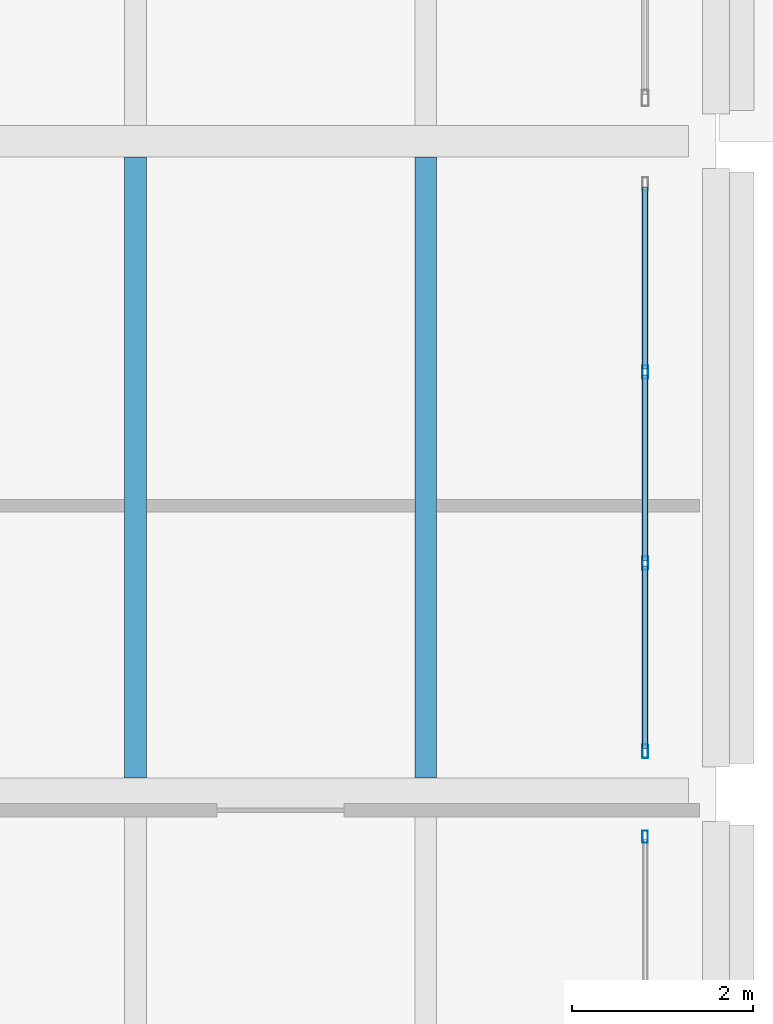
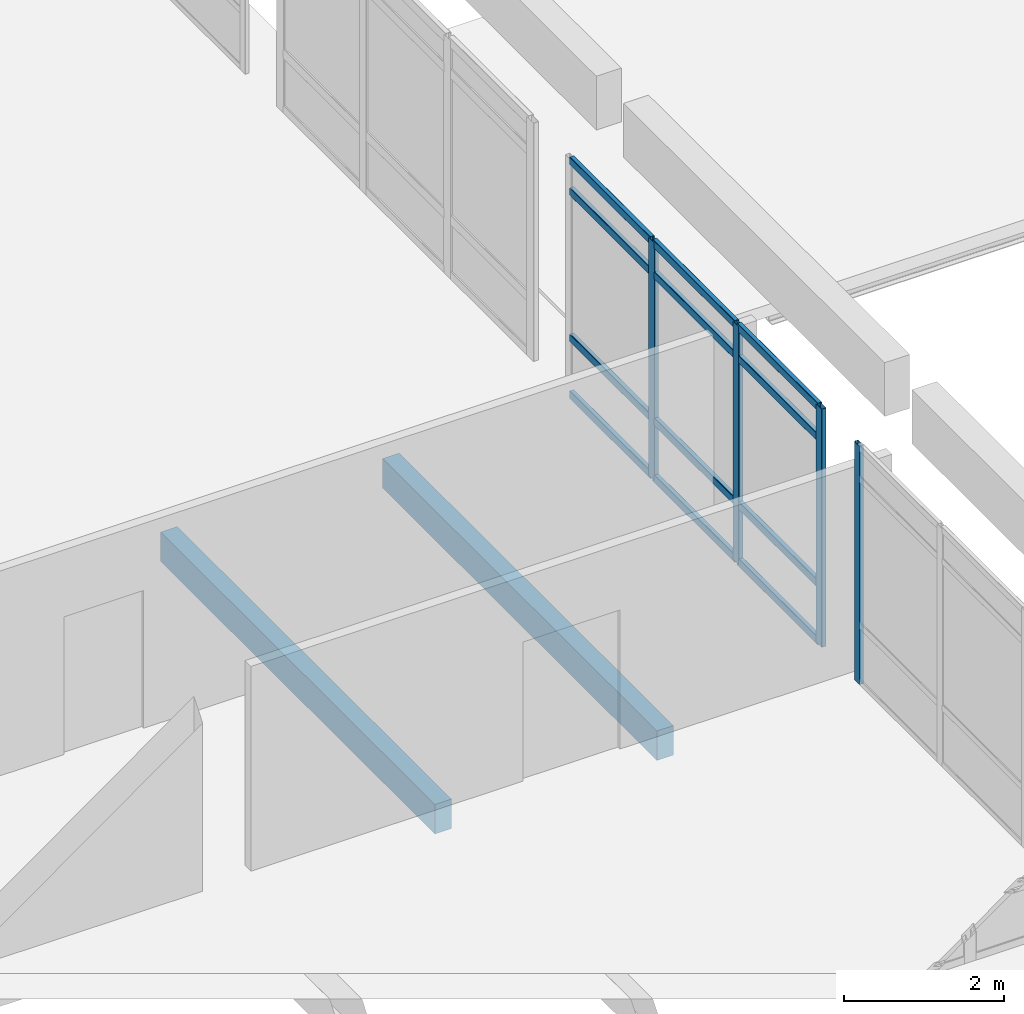
# One storey, part 63 of 180: 16 members, 2 beams, 2 elements without a shape of their own.
"""IFC4 building model written with IfcOpenShell, lengths in metres."""

from ifc_helpers import new_model, si_unit, direction, frame, origin, origin_2d, place, context, subcontext, project, spatial, rectangle, hollow_rectangle, extrude, material, layer, layer_set, material_profile, profile_set, type_object, element, aggregate, save


model = new_model("IFC4")

# Units and contexts
model_context = context("Model", 3, precision=1e-05, world=origin(), true_north=direction((0.0, 1.0)))
body_context = subcontext(model_context, "Body", "Model", "MODEL_VIEW")
ifc_project = project(units=[si_unit("LENGTHUNIT", "METRE"), si_unit("AREAUNIT", "SQUARE_METRE"), si_unit("VOLUMEUNIT", "CUBIC_METRE"), si_unit("PLANEANGLEUNIT", "RADIAN"), si_unit("MASSUNIT", "GRAM", prefix="KILO")], contexts=[model_context])

# Site, building, storey
site_placement = place(None, origin())
site = spatial("IfcSite", under=ifc_project, at=site_placement, CompositionType="ELEMENT")
building_placement = place(site_placement, origin())
building = spatial("IfcBuilding", under=site, at=building_placement, Name="Asteropetra Specialist Clinic", CompositionType="ELEMENT")
storey_placement = place(building_placement, frame((0.0, 0.0, 4.419921875)))
storey = spatial("IfcBuildingStorey", under=building, at=storey_placement, Name="L01", CompositionType="ELEMENT", Elevation=4.419921875)

# Curtain wall, member
ifc_material_1 = material(Name="Aluminium and low-E glass", Category="aluminium")
ifc_layer_1 = layer(ifc_material_1, 0.14990234375)
ifc_layer_set_1 = layer_set([ifc_layer_1], Name="Aluminium and low-E glass")
curtain_wall_type_1 = type_object("IfcCurtainWallType", Name="CW-SYS-11", PredefinedType="USERDEFINED", material=ifc_layer_set_1)
curtain_wall_1_placement = place(storey_placement, origin())
curtain_wall_1 = element("IfcCurtainWall", 1, at=curtain_wall_1_placement, inside=storey, type_object=curtain_wall_type_1, Name="Curtain Wall CW-176", ObjectType="STICK GLAZED COLONNADE", PredefinedType="USERDEFINED")
ifc_material_2 = material(Name="Aluminium 6063-T6", Category="aluminium")
ifc_material_profile_1 = material_profile(ifc_material_2, hollow_rectangle(XDim=0.06005859375, YDim=0.135009765625, WallThickness=0.00341796875, InnerFilletRadius=0.00341796875, OuterFilletRadius=0.007080078125, at=origin_2d()), Name="MUL 135x60x3.5")
ifc_profile_set_1 = profile_set([ifc_material_profile_1], Name="Aluminium 6063-T6")
member_type_1 = type_object("IfcMemberType", Name="CWM-135x60", PredefinedType="MULLION", material=ifc_profile_set_1)
member_1_placement = place(storey_placement, frame((95.219970703125, 40.330078125, 0.0), z_axis=(0.0, 0.0, 1.0), x_axis=(-1.0, 0.0, 0.0)))
member_1 = element("IfcMember", 2, at=member_1_placement, type_object=member_type_1, Name="CW-176 mullion 4", PredefinedType="MULLION", context=body_context, shape_type="SweptSolid", body=[
    extrude(hollow_rectangle(XDim=0.06005859375, YDim=0.135009765625, WallThickness=0.00341796875, InnerFilletRadius=0.00341796875, OuterFilletRadius=0.007080078125, at=origin_2d()), origin(), (0.0, 0.0, 1.0), 3.630126953125),
])
aggregate(curtain_wall_1, [member_1])

# Curtain wall, members
ifc_material_3 = material(Name="Aluminium and low-E glass", Category="aluminium")
ifc_layer_2 = layer(ifc_material_3, 0.179931640625)
ifc_layer_set_2 = layer_set([ifc_layer_2], Name="Aluminium and low-E glass")
curtain_wall_type_2 = type_object("IfcCurtainWallType", Name="CW-SYS-10", PredefinedType="USERDEFINED", material=ifc_layer_set_2)
curtain_wall_2_placement = place(storey_placement, origin())
curtain_wall_2 = element("IfcCurtainWall", 3, at=curtain_wall_2_placement, inside=storey, type_object=curtain_wall_type_2, Name="Curtain Wall CW-178", ObjectType="STICK GLAZED COLONNADE", PredefinedType="USERDEFINED")
ifc_material_4 = material(Name="Aluminium 6063-T6", Category="aluminium")
ifc_material_profile_2 = material_profile(ifc_material_4, hollow_rectangle(XDim=0.06494140625, YDim=0.14990234375, WallThickness=0.00390625, InnerFilletRadius=0.00390625, OuterFilletRadius=0.008056640625, at=origin_2d()), Name="MUL 150x65x4.0")
ifc_profile_set_2 = profile_set([ifc_material_profile_2], Name="Aluminium 6063-T6")
member_type_2 = type_object("IfcMemberType", Name="CWM-150x65", PredefinedType="MULLION", material=ifc_profile_set_2)
member_2_placement = place(storey_placement, frame((95.219970703125, 41.2724609375, 0.0), z_axis=(0.0, 0.0, 1.0), x_axis=(-1.0, 0.0, 0.0)))
member_2 = element("IfcMember", 4, at=member_2_placement, type_object=member_type_2, Name="CW-178 mullion 1", PredefinedType="MULLION", context=body_context, shape_type="SweptSolid", body=[
    extrude(hollow_rectangle(XDim=0.06494140625, YDim=0.14990234375, WallThickness=0.00390625, InnerFilletRadius=0.00390625, OuterFilletRadius=0.008056640625, at=origin_2d()), origin(), (0.0, 0.0, 1.0), 3.630126953125),
])
member_3_placement = place(storey_placement, frame((95.219970703125, 43.3466796875, 0.0), z_axis=(0.0, 0.0, 1.0), x_axis=(-1.0, 0.0, 0.0)))
member_3 = element("IfcMember", 5, at=member_3_placement, type_object=member_type_2, Name="CW-178 mullion 2", PredefinedType="MULLION", context=body_context, shape_type="SweptSolid", body=[
    extrude(hollow_rectangle(XDim=0.06494140625, YDim=0.14990234375, WallThickness=0.00390625, InnerFilletRadius=0.00390625, OuterFilletRadius=0.008056640625, at=origin_2d()), origin(), (0.0, 0.0, 1.0), 3.630126953125),
])
member_4_placement = place(storey_placement, frame((95.219970703125, 45.453369140625, 0.0), z_axis=(0.0, 0.0, 1.0), x_axis=(-1.0, 0.0, 0.0)))
member_4 = element("IfcMember", 6, at=member_4_placement, type_object=member_type_2, Name="CW-178 mullion 3", PredefinedType="MULLION", context=body_context, shape_type="SweptSolid", body=[
    extrude(hollow_rectangle(XDim=0.06494140625, YDim=0.14990234375, WallThickness=0.00390625, InnerFilletRadius=0.00390625, OuterFilletRadius=0.008056640625, at=origin_2d()), origin(), (0.0, 0.0, 1.0), 3.630126953125),
])
ifc_material_5 = material(Name="Aluminium 6063-T6", Category="aluminium")
ifc_material_profile_3 = material_profile(ifc_material_5, hollow_rectangle(XDim=0.06494140625, YDim=0.1201171875, WallThickness=0.00390625, InnerFilletRadius=0.00390625, OuterFilletRadius=0.008056640625, at=origin_2d()), Name="TRN 120x65x4.0")
ifc_profile_set_3 = profile_set([ifc_material_profile_3], Name="Aluminium 6063-T6")
member_type_3 = type_object("IfcMemberType", Name="CWT-120x65", PredefinedType="USERDEFINED", material=ifc_profile_set_3)
member_5_placement = place(storey_placement, frame((95.219970703125, 41.304931640625, 0.032470703125), z_axis=(0.0, 1.0, 0.0), x_axis=(-1.0, 0.0, 0.0)))
member_5 = element("IfcMember", 7, at=member_5_placement, type_object=member_type_3, Name="CW-178 transom 1.1", ObjectType="TRANSOM", PredefinedType="USERDEFINED", context=body_context, shape_type="SweptSolid", body=[
    extrude(hollow_rectangle(XDim=0.06494140625, YDim=0.1201171875, WallThickness=0.00390625, InnerFilletRadius=0.00390625, OuterFilletRadius=0.008056640625, at=origin_2d()), origin(), (0.0, 0.0, 1.0), 2.00927734375),
])
member_6_placement = place(storey_placement, frame((95.219970703125, 41.304931640625, 0.900146484375), z_axis=(0.0, 1.0, 0.0), x_axis=(-1.0, 0.0, 0.0)))
member_6 = element("IfcMember", 8, at=member_6_placement, type_object=member_type_3, Name="CW-178 transom 1.2", ObjectType="TRANSOM", PredefinedType="USERDEFINED", context=body_context, shape_type="SweptSolid", body=[
    extrude(hollow_rectangle(XDim=0.06494140625, YDim=0.1201171875, WallThickness=0.00390625, InnerFilletRadius=0.00390625, OuterFilletRadius=0.008056640625, at=origin_2d()), origin(), (0.0, 0.0, 1.0), 2.00927734375),
])
member_7_placement = place(storey_placement, frame((95.219970703125, 41.304931640625, 3.130126953125), z_axis=(0.0, 1.0, 0.0), x_axis=(-1.0, 0.0, 0.0)))
member_7 = element("IfcMember", 9, at=member_7_placement, type_object=member_type_3, Name="CW-178 transom 1.3", ObjectType="TRANSOM", PredefinedType="USERDEFINED", context=body_context, shape_type="SweptSolid", body=[
    extrude(hollow_rectangle(XDim=0.06494140625, YDim=0.1201171875, WallThickness=0.00390625, InnerFilletRadius=0.00390625, OuterFilletRadius=0.008056640625, at=origin_2d()), origin(), (0.0, 0.0, 1.0), 2.00927734375),
])
member_8_placement = place(storey_placement, frame((95.219970703125, 41.304931640625, 3.59765625), z_axis=(0.0, 1.0, 0.0), x_axis=(-1.0, 0.0, 0.0)))
member_8 = element("IfcMember", 10, at=member_8_placement, type_object=member_type_3, Name="CW-178 transom 1.4", ObjectType="TRANSOM", PredefinedType="USERDEFINED", context=body_context, shape_type="SweptSolid", body=[
    extrude(hollow_rectangle(XDim=0.06494140625, YDim=0.1201171875, WallThickness=0.00390625, InnerFilletRadius=0.00390625, OuterFilletRadius=0.008056640625, at=origin_2d()), origin(), (0.0, 0.0, 1.0), 2.00927734375),
])
member_9_placement = place(storey_placement, frame((95.219970703125, 43.379150390625, 0.032470703125), z_axis=(0.0, 1.0, 0.0), x_axis=(-1.0, 0.0, 0.0)))
member_9 = element("IfcMember", 11, at=member_9_placement, type_object=member_type_3, Name="CW-178 transom 2.1", ObjectType="TRANSOM", PredefinedType="USERDEFINED", context=body_context, shape_type="SweptSolid", body=[
    extrude(hollow_rectangle(XDim=0.06494140625, YDim=0.1201171875, WallThickness=0.00390625, InnerFilletRadius=0.00390625, OuterFilletRadius=0.008056640625, at=origin_2d()), origin(), (0.0, 0.0, 1.0), 2.041748046875),
])
member_10_placement = place(storey_placement, frame((95.219970703125, 43.379150390625, 0.900146484375), z_axis=(0.0, 1.0, 0.0), x_axis=(-1.0, 0.0, 0.0)))
member_10 = element("IfcMember", 12, at=member_10_placement, type_object=member_type_3, Name="CW-178 transom 2.2", ObjectType="TRANSOM", PredefinedType="USERDEFINED", context=body_context, shape_type="SweptSolid", body=[
    extrude(hollow_rectangle(XDim=0.06494140625, YDim=0.1201171875, WallThickness=0.00390625, InnerFilletRadius=0.00390625, OuterFilletRadius=0.008056640625, at=origin_2d()), origin(), (0.0, 0.0, 1.0), 2.041748046875),
])
member_11_placement = place(storey_placement, frame((95.219970703125, 43.379150390625, 3.130126953125), z_axis=(0.0, 1.0, 0.0), x_axis=(-1.0, 0.0, 0.0)))
member_11 = element("IfcMember", 13, at=member_11_placement, type_object=member_type_3, Name="CW-178 transom 2.3", ObjectType="TRANSOM", PredefinedType="USERDEFINED", context=body_context, shape_type="SweptSolid", body=[
    extrude(hollow_rectangle(XDim=0.06494140625, YDim=0.1201171875, WallThickness=0.00390625, InnerFilletRadius=0.00390625, OuterFilletRadius=0.008056640625, at=origin_2d()), origin(), (0.0, 0.0, 1.0), 2.041748046875),
])
member_12_placement = place(storey_placement, frame((95.219970703125, 43.379150390625, 3.59765625), z_axis=(0.0, 1.0, 0.0), x_axis=(-1.0, 0.0, 0.0)))
member_12 = element("IfcMember", 14, at=member_12_placement, type_object=member_type_3, Name="CW-178 transom 2.4", ObjectType="TRANSOM", PredefinedType="USERDEFINED", context=body_context, shape_type="SweptSolid", body=[
    extrude(hollow_rectangle(XDim=0.06494140625, YDim=0.1201171875, WallThickness=0.00390625, InnerFilletRadius=0.00390625, OuterFilletRadius=0.008056640625, at=origin_2d()), origin(), (0.0, 0.0, 1.0), 2.041748046875),
])
member_13_placement = place(storey_placement, frame((95.219970703125, 45.48583984375, 0.032470703125), z_axis=(0.0, 1.0, 0.0), x_axis=(-1.0, 0.0, 0.0)))
member_13 = element("IfcMember", 15, at=member_13_placement, type_object=member_type_3, Name="CW-178 transom 3.1", ObjectType="TRANSOM", PredefinedType="USERDEFINED", context=body_context, shape_type="SweptSolid", body=[
    extrude(hollow_rectangle(XDim=0.06494140625, YDim=0.1201171875, WallThickness=0.00390625, InnerFilletRadius=0.00390625, OuterFilletRadius=0.008056640625, at=origin_2d()), origin(), (0.0, 0.0, 1.0), 2.00927734375),
])
member_14_placement = place(storey_placement, frame((95.219970703125, 45.48583984375, 0.900146484375), z_axis=(0.0, 1.0, 0.0), x_axis=(-1.0, 0.0, 0.0)))
member_14 = element("IfcMember", 16, at=member_14_placement, type_object=member_type_3, Name="CW-178 transom 3.2", ObjectType="TRANSOM", PredefinedType="USERDEFINED", context=body_context, shape_type="SweptSolid", body=[
    extrude(hollow_rectangle(XDim=0.06494140625, YDim=0.1201171875, WallThickness=0.00390625, InnerFilletRadius=0.00390625, OuterFilletRadius=0.008056640625, at=origin_2d()), origin(), (0.0, 0.0, 1.0), 2.00927734375),
])
member_15_placement = place(storey_placement, frame((95.219970703125, 45.48583984375, 3.130126953125), z_axis=(0.0, 1.0, 0.0), x_axis=(-1.0, 0.0, 0.0)))
member_15 = element("IfcMember", 17, at=member_15_placement, type_object=member_type_3, Name="CW-178 transom 3.3", ObjectType="TRANSOM", PredefinedType="USERDEFINED", context=body_context, shape_type="SweptSolid", body=[
    extrude(hollow_rectangle(XDim=0.06494140625, YDim=0.1201171875, WallThickness=0.00390625, InnerFilletRadius=0.00390625, OuterFilletRadius=0.008056640625, at=origin_2d()), origin(), (0.0, 0.0, 1.0), 2.00927734375),
])
member_16_placement = place(storey_placement, frame((95.219970703125, 45.48583984375, 3.59765625), z_axis=(0.0, 1.0, 0.0), x_axis=(-1.0, 0.0, 0.0)))
member_16 = element("IfcMember", 18, at=member_16_placement, type_object=member_type_3, Name="CW-178 transom 3.4", ObjectType="TRANSOM", PredefinedType="USERDEFINED", context=body_context, shape_type="SweptSolid", body=[
    extrude(hollow_rectangle(XDim=0.06494140625, YDim=0.1201171875, WallThickness=0.00390625, InnerFilletRadius=0.00390625, OuterFilletRadius=0.008056640625, at=origin_2d()), origin(), (0.0, 0.0, 1.0), 2.00927734375),
])
aggregate(curtain_wall_2, [member_2, member_3, member_4, member_5, member_6, member_7, member_8, member_9, member_10, member_11, member_12, member_13, member_14, member_15, member_16])

# Beams
ifc_material_6 = material(Name="Concrete C35/45", Category="concrete")
ifc_material_profile_4 = material_profile(ifc_material_6, rectangle(XDim=0.239990234375, YDim=0.449951171875, at=origin_2d()), Name="RCJ 240x450")
ifc_profile_set_4 = profile_set([ifc_material_profile_4], Name="Concrete C35/45")
beam_type = type_object("IfcBeamType", Name="JST-RC240x450", PredefinedType="JOIST", material=ifc_profile_set_4)
for number, where, z_axis, x_axis, name in (
    (19, (89.60009765625, 40.97509765625, -0.48486328125), (0.0, 1.0, 0.0), (-1.0, 0.0, 0.0), "Joist JJST03-0784"),
    (20, (92.800048828125, 40.97509765625, -0.48486328125), (0.0, 1.0, 0.0), (-1.0, 0.0, 0.0), "Joist JJST03-0785"),
):
    element("IfcBeam", number, at=place(storey_placement, frame(where, z_axis=z_axis, x_axis=x_axis)), inside=storey, type_object=beam_type, Name=name, PredefinedType="JOIST", context=body_context, shape_type="SweptSolid", body=[
        extrude(rectangle(XDim=0.239990234375, YDim=0.449951171875, at=origin_2d()), origin(), (0.0, 0.0, 1.0), 6.849853515625),
    ])

save(model, "model.ifc")
